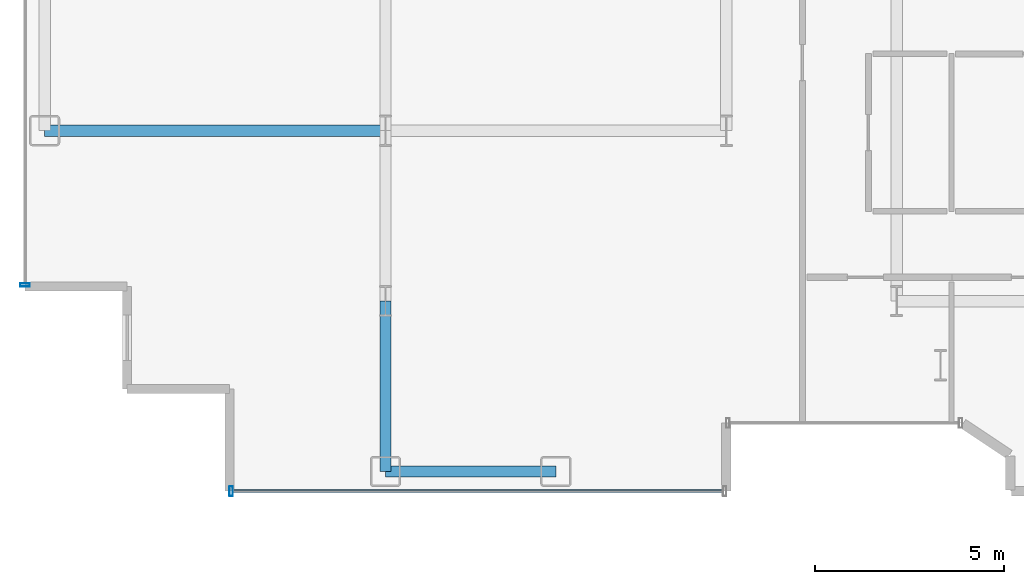
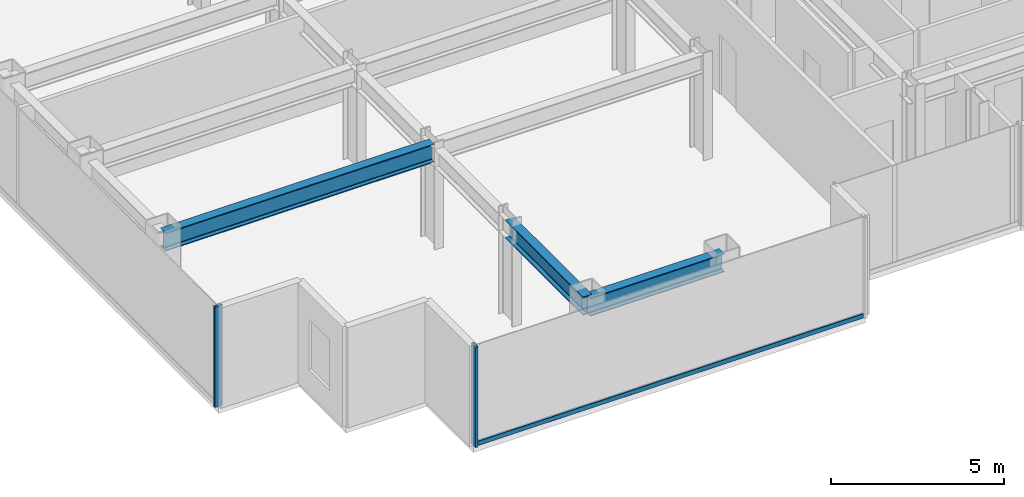
# One storey, part 3 of 23: 3 beams, 3 members, 2 elements without a shape of their own.
"""IFC4 building model written with IfcOpenShell, lengths in metres."""

from ifc_helpers import new_model, si_unit, direction, frame, origin, origin_2d, place, context, subcontext, project, spatial, hollow_rectangle, i_section, extrude, source, transform, mapped, material, layer, layer_set, material_profile, profile_set, type_object, element, aggregate, save


model = new_model("IFC4")

# Units and contexts
model_context = context("Model", 3, precision=1e-05, world=origin(), true_north=direction((0.0, 1.0)))
body_context = subcontext(model_context, "Body", "Model", "MODEL_VIEW")
ifc_project = project(units=[si_unit("LENGTHUNIT", "METRE"), si_unit("AREAUNIT", "SQUARE_METRE"), si_unit("VOLUMEUNIT", "CUBIC_METRE"), si_unit("PLANEANGLEUNIT", "RADIAN"), si_unit("MASSUNIT", "GRAM", prefix="KILO")], contexts=[model_context])

# Site, building, storey
site_placement = place(None, origin())
site = spatial("IfcSite", under=ifc_project, at=site_placement, CompositionType="ELEMENT")
building_placement = place(site_placement, origin())
building = spatial("IfcBuilding", under=site, at=building_placement, Name="Nefas-Gora Pilgrimage Tower", CompositionType="ELEMENT")
storey_placement = place(building_placement, frame((0.0, 0.0, 175.39990234375)))
storey = spatial("IfcBuildingStorey", under=building, at=storey_placement, Name="L43", CompositionType="ELEMENT", Elevation=175.39990234375)

# Beams
ifc_material_1 = material(Name="Steel S355", Category="steel")
ifc_material_profile_1 = material_profile(ifc_material_1, i_section(OverallWidth=0.300048828125, OverallDepth=0.64990234375, WebThickness=0.01611328125, FlangeThickness=0.031005859375, FilletRadius=0.027099609375, at=origin_2d()), Name="HEB 650")
ifc_profile_set_1 = profile_set([ifc_material_profile_1], Name="Steel S355")
beam_type_1 = type_object("IfcBeamType", Name="BM-SPN-HEB500", PredefinedType="SPANDREL", material=ifc_profile_set_1)
shared_shape_1 = source(origin(), body_context, "Body", "SweptSolid", [
    extrude(i_section(OverallWidth=0.300048828125, OverallDepth=0.64990234375, WebThickness=0.01611328125, FlangeThickness=0.031005859375, FilletRadius=0.027099609375, at=origin_2d()), origin(), (0.0, 0.0, 1.0), 4.5),
])
beam_1_placement = place(storey_placement, frame((-24.75, -22.5, 3.22509765625), z_axis=(1.0, 0.0, 0.0), x_axis=(0.0, 1.0, 0.0)))
element("IfcBeam", 1, at=beam_1_placement, inside=storey, type_object=beam_type_1, Name="L43 SP-02 beam", PredefinedType="SPANDREL", context=body_context, shape_type="MappedRepresentation", body=[
    mapped(shared_shape_1, transform((0.0, 0.0, 0.0), x_axis=(1.0, 0.0, 0.0), y_axis=(0.0, 1.0, 0.0), z_axis=(0.0, 0.0, 1.0), scale=1.0)),
])
ifc_material_profile_2 = material_profile(ifc_material_1, i_section(OverallWidth=0.300048828125, OverallDepth=0.64990234375, WebThickness=0.01611328125, FlangeThickness=0.031005859375, FilletRadius=0.027099609375, at=origin_2d()), Name="HEB 650")
ifc_profile_set_2 = profile_set([ifc_material_profile_2], Name="Steel S355")
beam_type_2 = type_object("IfcBeamType", Name="BM-GIR-HEB650", PredefinedType="BEAM", material=ifc_profile_set_2)
shared_shape_2 = source(origin(), body_context, "Body", "SweptSolid", [
    extrude(i_section(OverallWidth=0.300048828125, OverallDepth=0.64990234375, WebThickness=0.01611328125, FlangeThickness=0.031005859375, FilletRadius=0.027099609375, at=origin_2d()), origin(), (0.0, 0.0, 1.0), 9.0),
])
beam_2_placement = place(storey_placement, frame((-33.75, -13.5, 3.22509765625), z_axis=(1.0, 0.0, 0.0), x_axis=(0.0, 1.0, 0.0)))
element("IfcBeam", 2, at=beam_2_placement, inside=storey, type_object=beam_type_2, Name="L43 G-03 beam", PredefinedType="BEAM", context=body_context, shape_type="MappedRepresentation", body=[
    mapped(shared_shape_2, transform((0.0, 0.0, 0.0), x_axis=(1.0, 0.0, 0.0), y_axis=(0.0, 1.0, 0.0), z_axis=(0.0, 0.0, 1.0), scale=1.0)),
])
shared_shape_3 = source(origin(), body_context, "Body", "SweptSolid", [
    extrude(i_section(OverallWidth=0.300048828125, OverallDepth=0.64990234375, WebThickness=0.01611328125, FlangeThickness=0.031005859375, FilletRadius=0.027099609375, at=origin_2d()), origin(), (0.0, 0.0, 1.0), 4.5),
])
beam_3_placement = place(storey_placement, frame((-24.75, -22.5, 3.22509765625), z_axis=(0.0, 1.0, 0.0), x_axis=(-1.0, 0.0, 0.0)))
element("IfcBeam", 3, at=beam_3_placement, inside=storey, type_object=beam_type_2, Name="L43 G-03 beam", PredefinedType="BEAM", context=body_context, shape_type="MappedRepresentation", body=[
    mapped(shared_shape_3, transform((0.0, 0.0, 0.0), x_axis=(1.0, 0.0, 0.0), y_axis=(0.0, 1.0, 0.0), z_axis=(0.0, 0.0, 1.0), scale=1.0)),
])

# Curtain wall, member
ifc_material_2 = material(Name="Dark ceramic-fritted solar-control aluminium-glass curtain wall", Category="aluminium")
ifc_layer = layer(ifc_material_2, 0.219970703125)
ifc_layer_set = layer_set([ifc_layer], Name="Dark ceramic-fritted solar-control aluminium-glass curtain wall")
curtain_wall_type = type_object("IfcCurtainWallType", Name="CW-SYS-3", PredefinedType="NOTDEFINED", material=ifc_layer_set)
curtain_wall_1_placement = place(storey_placement, origin())
curtain_wall_1 = element("IfcCurtainWall", 4, at=curtain_wall_1_placement, inside=storey, type_object=curtain_wall_type, Name="L43 Unitised Curtain Wall CW3", PredefinedType="NOTDEFINED")
ifc_material_3 = material(Name="Anodised architectural aluminium", Category="aluminium")
ifc_material_profile_3 = material_profile(ifc_material_3, hollow_rectangle(XDim=0.090087890625, YDim=0.260009765625, WallThickness=0.006103515625, InnerFilletRadius=0.006103515625, OuterFilletRadius=0.011962890625, at=origin_2d()), Name="ALU MULLION 90x260")
ifc_profile_set_3 = profile_set([ifc_material_profile_3], Name="Anodised architectural aluminium")
member_type_1 = type_object("IfcMemberType", Name="CWM-MUL-3", PredefinedType="MULLION", material=ifc_profile_set_3)
shared_shape_4 = source(origin(), body_context, "Body", "SweptSolid", [
    extrude(hollow_rectangle(XDim=0.090087890625, YDim=0.260009765625, WallThickness=0.006103515625, InnerFilletRadius=0.006103515625, OuterFilletRadius=0.011962890625, at=origin_2d()), origin(), (0.0, 0.0, 1.0), 3.550048828125),
])
member_1_placement = place(storey_placement, frame((-34.27001953125, -17.574951171875, 0.0), z_axis=(0.0, 0.0, 1.0), x_axis=(0.0, -1.0, 0.0)))
member_1 = element("IfcMember", 5, at=member_1_placement, type_object=member_type_1, Name="CW3 Mullion 2", PredefinedType="MULLION", context=body_context, shape_type="MappedRepresentation", body=[
    mapped(shared_shape_4, transform((0.0, 0.0, 0.0), x_axis=(1.0, 0.0, 0.0), y_axis=(0.0, 1.0, 0.0), z_axis=(0.0, 0.0, 1.0), scale=1.0)),
])
aggregate(curtain_wall_1, [member_1])

# Curtain wall, members
curtain_wall_2_placement = place(storey_placement, origin())
curtain_wall_2 = element("IfcCurtainWall", 6, at=curtain_wall_2_placement, inside=storey, type_object=curtain_wall_type, Name="L43 Unitised Curtain Wall CW3", PredefinedType="NOTDEFINED")
member_2_placement = place(storey_placement, frame((-28.824951171875, -23.02001953125, 0.0), z_axis=(0.0, 0.0, 1.0), x_axis=(1.0, 0.0, 0.0)))
member_2 = element("IfcMember", 7, at=member_2_placement, type_object=member_type_1, Name="CW3 Mullion 1", PredefinedType="MULLION", context=body_context, shape_type="MappedRepresentation", body=[
    mapped(shared_shape_4, transform((0.0, 0.0, 0.0), x_axis=(1.0, 0.0, 0.0), y_axis=(0.0, 1.0, 0.0), z_axis=(0.0, 0.0, 1.0), scale=1.0)),
])
ifc_material_profile_4 = material_profile(ifc_material_3, hollow_rectangle(XDim=0.080078125, YDim=0.159912109375, WallThickness=0.00439453125, InnerFilletRadius=0.00439453125, OuterFilletRadius=0.009033203125, at=origin_2d()), Name="ALU TRANSOM 80x160")
ifc_profile_set_4 = profile_set([ifc_material_profile_4], Name="Anodised architectural aluminium")
member_type_2 = type_object("IfcMemberType", Name="CWM-TRN-3", PredefinedType="USERDEFINED", material=ifc_profile_set_4)
shared_shape_5 = source(origin(), body_context, "Body", "SweptSolid", [
    extrude(hollow_rectangle(XDim=0.080078125, YDim=0.159912109375, WallThickness=0.00439453125, InnerFilletRadius=0.00439453125, OuterFilletRadius=0.009033203125, at=origin_2d()), origin(), (0.0, 0.0, 1.0), 12.93994140625),
])
member_3_placement = place(storey_placement, frame((-28.780029296875, -23.02001953125, 0.050048828125), z_axis=(1.0, 0.0, 0.0), x_axis=(0.0, 1.0, 0.0)))
member_3 = element("IfcMember", 8, at=member_3_placement, type_object=member_type_2, Name="CW3 Spandrel Transom", ObjectType="TRANSOM", PredefinedType="USERDEFINED", context=body_context, shape_type="MappedRepresentation", body=[
    mapped(shared_shape_5, transform((0.0, 0.0, 0.0), x_axis=(1.0, 0.0, 0.0), y_axis=(0.0, 1.0, 0.0), z_axis=(0.0, 0.0, 1.0), scale=1.0)),
])
aggregate(curtain_wall_2, [member_2, member_3])

save(model, "model.ifc")
